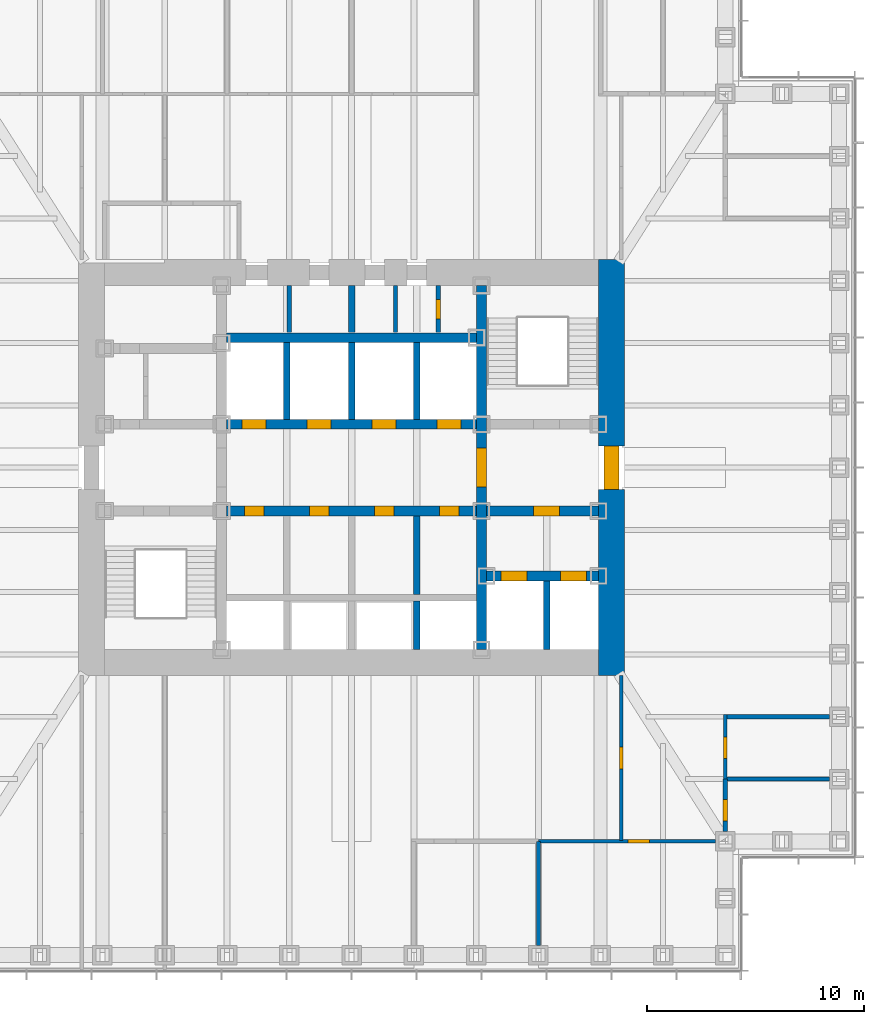
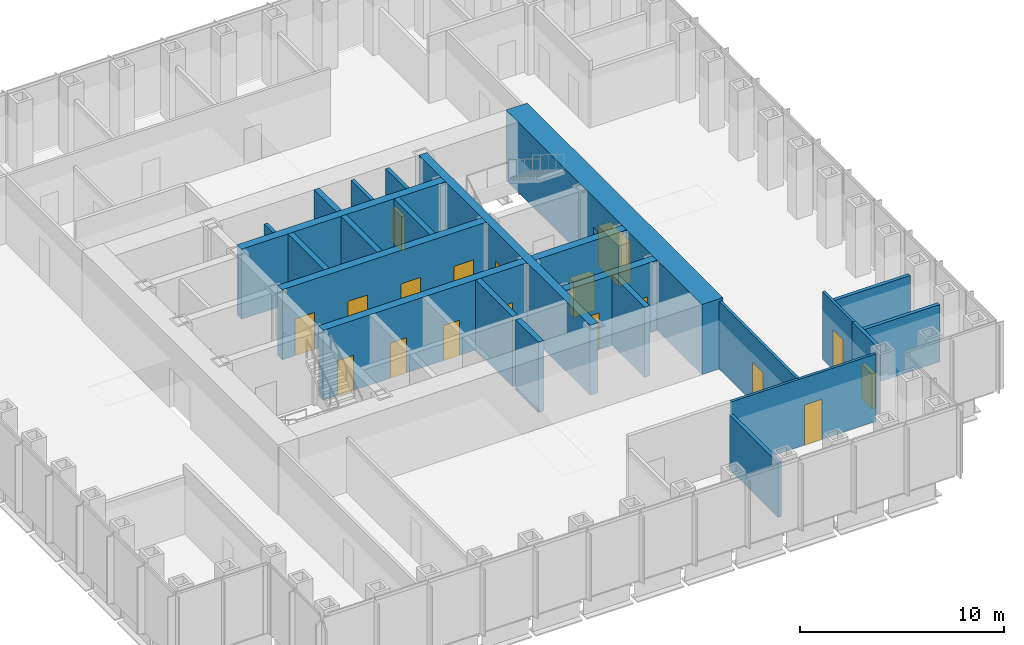
# One storey, part 9 of 17: 24 walls, 18 doors, 18 openings.
"""IFC4 building model written with IfcOpenShell, lengths in metres."""

from ifc_helpers import new_model, si_unit, direction, frame, frame_2d, origin, place, context, subcontext, project, spatial, rectangle, extrude, material, layer, layer_set, type_object, element, fill, save


model = new_model("IFC4")

# Units and contexts
model_context = context("Model", 3, precision=1e-05, world=origin(), true_north=direction((0.0, 1.0)))
body_context = subcontext(model_context, "Body", "Model", "MODEL_VIEW")
ifc_project = project(units=[si_unit("LENGTHUNIT", "METRE"), si_unit("AREAUNIT", "SQUARE_METRE"), si_unit("VOLUMEUNIT", "CUBIC_METRE"), si_unit("PLANEANGLEUNIT", "RADIAN"), si_unit("MASSUNIT", "GRAM", prefix="KILO")], contexts=[model_context])

# Site, building, storey
site_placement = place(None, origin())
site = spatial("IfcSite", under=ifc_project, at=site_placement, CompositionType="ELEMENT")
building_placement = place(site_placement, origin())
building = spatial("IfcBuilding", under=site, at=building_placement, Name="Daluyong Arena Tower", CompositionType="ELEMENT")
storey_placement = place(building_placement, frame((0.0, 0.0, 124.89990234375)))
storey = spatial("IfcBuildingStorey", under=building, at=storey_placement, Name="L27", CompositionType="ELEMENT", Elevation=124.89990234375)

# Wall, opening, door
ifc_material_1 = material(Name="Concrete fc' 45 MPa", Category="concrete")
ifc_layer_1 = layer(ifc_material_1, 0.449951171875)
ifc_layer_set_1 = layer_set([ifc_layer_1], Name="Concrete fc' 45 MPa")
wall_type_1 = type_object("IfcWallType", Name="Core inner wall 450", PredefinedType="SHEAR", material=ifc_layer_set_1)
wall_1_placement = place(storey_placement, frame((62.0, 71.60009765625, 0.0), z_axis=(0.0, 0.0, 1.0), x_axis=(0.0, 1.0, 0.0)))
wall_1 = element("IfcWall", 1, at=wall_1_placement, inside=storey, type_object=wall_type_1, Name="core inner wall at L27", PredefinedType="SHEAR", context=body_context, shape_type="SweptSolid", body=[
    extrude(rectangle(XDim=16.7998046875, YDim=0.449951171875, at=frame_2d((8.39990234375, 0.0))), origin(), (0.0, 0.0, 1.0), 4.2001953125),
])
opening_1_placement = place(wall_1_placement, frame((7.5, 0.0, 0.0)))
opening_1 = element("IfcOpeningElement", 2, at=opening_1_placement, cuts=wall_1, Name="Opening 27018", PredefinedType="OPENING", context=body_context, shape_type="SweptSolid", body=[
    extrude(rectangle(XDim=1.800048828125, YDim=2.39990234375, at=frame_2d((0.89990234375, 1.199951171875))), frame((0.0, 0.23486328125, 0.0), z_axis=(0.0, -1.0, 0.0), x_axis=(1.0, 0.0, 0.0)), (0.0, 0.0, 1.0), 0.469970703125),
])
ifc_material_2 = material(Name="Steel door, fire rated", Category="steel")
door_type_1 = type_object("IfcDoorType", Name="Lift lobby opening door 1800", OperationType="DOUBLE_DOOR_SINGLE_SWING", PredefinedType="DOOR", material=ifc_material_2)
door_1_placement = place(opening_1_placement, origin())
door_1 = element("IfcDoor", 3, at=door_1_placement, inside=storey, type_object=door_type_1, Name="lift lobby door east 27018", OperationType="DOUBLE_DOOR_SINGLE_SWING", OverallHeight=2.39990234375, OverallWidth=1.800048828125, PredefinedType="DOOR", context=body_context, shape_type="SweptSolid", body=[
    extrude(rectangle(XDim=1.800048828125, YDim=2.39990234375, at=frame_2d((0.89990234375, 1.199951171875))), frame((0.0, 0.224609375, 0.0), z_axis=(0.0, -1.0, 0.0), x_axis=(1.0, 0.0, 0.0)), (0.0, 0.0, 1.0), 0.449462890625),
])
fill(opening_1, door_1)

# Wall, openings, doors
wall_2_placement = place(storey_placement, frame((62.22509765625, 75.0, 0.0), z_axis=(0.0, 0.0, 1.0), x_axis=(1.0, 0.0, 0.0)))
wall_2 = element("IfcWall", 4, at=wall_2_placement, inside=storey, type_object=wall_type_1, Name="core inner wall at L27", PredefinedType="SHEAR", context=body_context, shape_type="SweptSolid", body=[
    extrude(rectangle(XDim=5.1748046875, YDim=0.449951171875, at=frame_2d((2.58740234375, 0.0))), origin(), (0.0, 0.0, 1.0), 4.2001953125),
])
opening_2_placement = place(wall_2_placement, frame((0.675048828125, 0.0, 0.0)))
opening_2 = element("IfcOpeningElement", 5, at=opening_2_placement, cuts=wall_2, Name="Opening 27024", PredefinedType="OPENING", context=body_context, shape_type="SweptSolid", body=[
    extrude(rectangle(XDim=1.199951171875, YDim=2.199951171875, at=frame_2d((0.60009765625, 1.10009765625))), frame((0.0, 0.23486328125, 0.0), z_axis=(0.0, -1.0, 0.0), x_axis=(1.0, 0.0, 0.0)), (0.0, 0.0, 1.0), 0.469970703125),
])
opening_3_placement = place(wall_2_placement, frame((3.425048828125, 0.0, 0.0)))
opening_3 = element("IfcOpeningElement", 6, at=opening_3_placement, cuts=wall_2, Name="Opening 27025", PredefinedType="OPENING", context=body_context, shape_type="SweptSolid", body=[
    extrude(rectangle(XDim=1.199951171875, YDim=2.199951171875, at=frame_2d((0.60009765625, 1.10009765625))), frame((0.0, 0.23486328125, 0.0), z_axis=(0.0, -1.0, 0.0), x_axis=(1.0, 0.0, 0.0)), (0.0, 0.0, 1.0), 0.469970703125),
])
ifc_material_3 = material(Name="Steel door, fire rated", Category="steel")
door_type_2 = type_object("IfcDoorType", Name="Firefighting lift landing door 1200", OperationType="SLIDING_TO_LEFT", PredefinedType="DOOR", material=ifc_material_3)
door_2_placement = place(opening_2_placement, origin())
door_2 = element("IfcDoor", 7, at=door_2_placement, inside=storey, type_object=door_type_2, Name="firefighting lift landing door F1 27024", OperationType="SLIDING_TO_LEFT", OverallHeight=2.199951171875, OverallWidth=1.199951171875, PredefinedType="DOOR", context=body_context, shape_type="SweptSolid", body=[
    extrude(rectangle(XDim=1.199951171875, YDim=2.199951171875, at=frame_2d((0.60009765625, 1.10009765625))), frame((0.0, 0.224609375, 0.0), z_axis=(0.0, -1.0, 0.0), x_axis=(1.0, 0.0, 0.0)), (0.0, 0.0, 1.0), 0.449462890625),
])
fill(opening_2, door_2)
door_3_placement = place(opening_3_placement, origin())
door_3 = element("IfcDoor", 8, at=door_3_placement, inside=storey, type_object=door_type_2, Name="firefighting lift landing door F2 27025", OperationType="SLIDING_TO_LEFT", OverallHeight=2.199951171875, OverallWidth=1.199951171875, PredefinedType="DOOR", context=body_context, shape_type="SweptSolid", body=[
    extrude(rectangle(XDim=1.199951171875, YDim=2.199951171875, at=frame_2d((0.60009765625, 1.10009765625))), frame((0.0, 0.224609375, 0.0), z_axis=(0.0, -1.0, 0.0), x_axis=(1.0, 0.0, 0.0)), (0.0, 0.0, 1.0), 0.449462890625),
])
fill(opening_3, door_3)

# Wall, opening, door
wall_3_placement = place(storey_placement, frame((62.22509765625, 78.0, 0.0), z_axis=(0.0, 0.0, 1.0), x_axis=(1.0, 0.0, 0.0)))
wall_3 = element("IfcWall", 9, at=wall_3_placement, inside=storey, type_object=wall_type_1, Name="core inner wall at L27", PredefinedType="SHEAR", context=body_context, shape_type="SweptSolid", body=[
    extrude(rectangle(XDim=5.1748046875, YDim=0.449951171875, at=frame_2d((2.58740234375, 0.0))), origin(), (0.0, 0.0, 1.0), 4.2001953125),
])
opening_4_placement = place(wall_3_placement, frame((2.175048828125, 0.0, 0.0)))
opening_4 = element("IfcOpeningElement", 10, at=opening_4_placement, cuts=wall_3, Name="Opening 27019", PredefinedType="OPENING", context=body_context, shape_type="SweptSolid", body=[
    extrude(rectangle(XDim=1.199951171875, YDim=2.10009765625, at=frame_2d((0.60009765625, 1.050048828125))), frame((0.0, 0.23486328125, 0.0), z_axis=(0.0, -1.0, 0.0), x_axis=(1.0, 0.0, 0.0)), (0.0, 0.0, 1.0), 0.469970703125),
])
ifc_material_4 = material(Name="Steel door, fire rated", Category="steel")
door_type_3 = type_object("IfcDoorType", Name="Firefighting lobby door 1200", OperationType="SINGLE_SWING_RIGHT", PredefinedType="DOOR", material=ifc_material_4)
door_4_placement = place(opening_4_placement, origin())
door_4 = element("IfcDoor", 11, at=door_4_placement, inside=storey, type_object=door_type_3, Name="firefighting lobby door 27019", OperationType="SINGLE_SWING_RIGHT", OverallHeight=2.10009765625, OverallWidth=1.199951171875, PredefinedType="DOOR", context=body_context, shape_type="SweptSolid", body=[
    extrude(rectangle(XDim=1.199951171875, YDim=2.10009765625, at=frame_2d((0.60009765625, 1.050048828125))), frame((0.0, 0.224609375, 0.0), z_axis=(0.0, -1.0, 0.0), x_axis=(1.0, 0.0, 0.0)), (0.0, 0.0, 1.0), 0.449462890625),
])
fill(opening_4, door_4)

# Wall, openings, doors
wall_4_placement = place(storey_placement, frame((50.22509765625, 78.0, 0.0), z_axis=(0.0, 0.0, 1.0), x_axis=(1.0, 0.0, 0.0)))
wall_4 = element("IfcWall", 12, at=wall_4_placement, inside=storey, type_object=wall_type_1, Name="core inner wall at L27", PredefinedType="SHEAR", context=body_context, shape_type="SweptSolid", body=[
    extrude(rectangle(XDim=11.5498046875, YDim=0.449951171875, at=frame_2d((5.77490234375, 0.0))), origin(), (0.0, 0.0, 1.0), 4.2001953125),
])
opening_5_placement = place(wall_4_placement, frame((0.824951171875, 0.0, 0.0)))
opening_5 = element("IfcOpeningElement", 13, at=opening_5_placement, cuts=wall_4, Name="Opening 27009", PredefinedType="OPENING", context=body_context, shape_type="SweptSolid", body=[
    extrude(rectangle(XDim=0.89990234375, YDim=2.10009765625, at=frame_2d((0.449951171875, 1.050048828125))), frame((0.0, 0.23486328125, 0.0), z_axis=(0.0, -1.0, 0.0), x_axis=(1.0, 0.0, 0.0)), (0.0, 0.0, 1.0), 0.469970703125),
])
opening_6_placement = place(wall_4_placement, frame((3.824951171875, 0.0, 0.0)))
opening_6 = element("IfcOpeningElement", 14, at=opening_6_placement, cuts=wall_4, Name="Opening 27010", PredefinedType="OPENING", context=body_context, shape_type="SweptSolid", body=[
    extrude(rectangle(XDim=0.89990234375, YDim=2.10009765625, at=frame_2d((0.449951171875, 1.050048828125))), frame((0.0, 0.23486328125, 0.0), z_axis=(0.0, -1.0, 0.0), x_axis=(1.0, 0.0, 0.0)), (0.0, 0.0, 1.0), 0.469970703125),
])
opening_7_placement = place(wall_4_placement, frame((6.824951171875, 0.0, 0.0)))
opening_7 = element("IfcOpeningElement", 15, at=opening_7_placement, cuts=wall_4, Name="Opening 27011", PredefinedType="OPENING", context=body_context, shape_type="SweptSolid", body=[
    extrude(rectangle(XDim=0.89990234375, YDim=2.10009765625, at=frame_2d((0.449951171875, 1.050048828125))), frame((0.0, 0.23486328125, 0.0), z_axis=(0.0, -1.0, 0.0), x_axis=(1.0, 0.0, 0.0)), (0.0, 0.0, 1.0), 0.469970703125),
])
opening_8_placement = place(wall_4_placement, frame((9.824951171875, 0.0, 0.0)))
opening_8 = element("IfcOpeningElement", 16, at=opening_8_placement, cuts=wall_4, Name="Opening 27012", PredefinedType="OPENING", context=body_context, shape_type="SweptSolid", body=[
    extrude(rectangle(XDim=0.89990234375, YDim=2.10009765625, at=frame_2d((0.449951171875, 1.050048828125))), frame((0.0, 0.23486328125, 0.0), z_axis=(0.0, -1.0, 0.0), x_axis=(1.0, 0.0, 0.0)), (0.0, 0.0, 1.0), 0.469970703125),
])
ifc_material_5 = material(Name="Steel door, fire rated", Category="steel")
door_type_4 = type_object("IfcDoorType", Name="Core room door 900", OperationType="SINGLE_SWING_LEFT", PredefinedType="DOOR", material=ifc_material_5)
door_5_placement = place(opening_5_placement, origin())
door_5 = element("IfcDoor", 17, at=door_5_placement, inside=storey, type_object=door_type_4, Name="parcel room door 27009", OperationType="SINGLE_SWING_LEFT", OverallHeight=2.10009765625, OverallWidth=0.89990234375, PredefinedType="DOOR", context=body_context, shape_type="SweptSolid", body=[
    extrude(rectangle(XDim=0.89990234375, YDim=2.10009765625, at=frame_2d((0.449951171875, 1.050048828125))), frame((0.0, 0.224609375, 0.0), z_axis=(0.0, -1.0, 0.0), x_axis=(1.0, 0.0, 0.0)), (0.0, 0.0, 1.0), 0.449462890625),
])
fill(opening_5, door_5)
ifc_material_6 = material(Name="Steel door, fire rated", Category="steel")
door_type_5 = type_object("IfcDoorType", Name="Core store door 900", OperationType="SINGLE_SWING_LEFT", PredefinedType="DOOR", material=ifc_material_6)
door_6_placement = place(opening_6_placement, origin())
door_6 = element("IfcDoor", 18, at=door_6_placement, inside=storey, type_object=door_type_5, Name="stationery store door 27010", OperationType="SINGLE_SWING_LEFT", OverallHeight=2.10009765625, OverallWidth=0.89990234375, PredefinedType="DOOR", context=body_context, shape_type="SweptSolid", body=[
    extrude(rectangle(XDim=0.89990234375, YDim=2.10009765625, at=frame_2d((0.449951171875, 1.050048828125))), frame((0.0, 0.224609375, 0.0), z_axis=(0.0, -1.0, 0.0), x_axis=(1.0, 0.0, 0.0)), (0.0, 0.0, 1.0), 0.449462890625),
])
fill(opening_6, door_6)
door_7_placement = place(opening_7_placement, origin())
door_7 = element("IfcDoor", 19, at=door_7_placement, inside=storey, type_object=door_type_5, Name="security store door 27011", OperationType="SINGLE_SWING_LEFT", OverallHeight=2.10009765625, OverallWidth=0.89990234375, PredefinedType="DOOR", context=body_context, shape_type="SweptSolid", body=[
    extrude(rectangle(XDim=0.89990234375, YDim=2.10009765625, at=frame_2d((0.449951171875, 1.050048828125))), frame((0.0, 0.224609375, 0.0), z_axis=(0.0, -1.0, 0.0), x_axis=(1.0, 0.0, 0.0)), (0.0, 0.0, 1.0), 0.449462890625),
])
fill(opening_7, door_7)
ifc_material_7 = material(Name="Steel door, fire rated", Category="steel")
door_type_6 = type_object("IfcDoorType", Name="Plant room door 900", OperationType="SINGLE_SWING_LEFT", PredefinedType="DOOR", material=ifc_material_7)
door_8_placement = place(opening_8_placement, origin())
door_8 = element("IfcDoor", 20, at=door_8_placement, inside=storey, type_object=door_type_6, Name="comms room door 27012", OperationType="SINGLE_SWING_LEFT", OverallHeight=2.10009765625, OverallWidth=0.89990234375, PredefinedType="DOOR", context=body_context, shape_type="SweptSolid", body=[
    extrude(rectangle(XDim=0.89990234375, YDim=2.10009765625, at=frame_2d((0.449951171875, 1.050048828125))), frame((0.0, 0.224609375, 0.0), z_axis=(0.0, -1.0, 0.0), x_axis=(1.0, 0.0, 0.0)), (0.0, 0.0, 1.0), 0.449462890625),
])
fill(opening_8, door_8)

wall_5_placement = place(storey_placement, frame((50.22509765625, 82.0, 0.0), z_axis=(0.0, 0.0, 1.0), x_axis=(1.0, 0.0, 0.0)))
wall_5 = element("IfcWall", 21, at=wall_5_placement, inside=storey, type_object=wall_type_1, Name="core inner wall at L27", PredefinedType="SHEAR", context=body_context, shape_type="SweptSolid", body=[
    extrude(rectangle(XDim=11.5498046875, YDim=0.449951171875, at=frame_2d((5.77490234375, 0.0))), origin(), (0.0, 0.0, 1.0), 4.2001953125),
])
opening_9_placement = place(wall_5_placement, frame((0.72509765625, 0.0, 0.0)))
opening_9 = element("IfcOpeningElement", 22, at=opening_9_placement, cuts=wall_5, Name="Opening 27020", PredefinedType="OPENING", context=body_context, shape_type="SweptSolid", body=[
    extrude(rectangle(XDim=1.10009765625, YDim=2.199951171875, at=frame_2d((0.550048828125, 1.10009765625))), frame((0.0, 0.23486328125, 0.0), z_axis=(0.0, -1.0, 0.0), x_axis=(1.0, 0.0, 0.0)), (0.0, 0.0, 1.0), 0.469970703125),
])
opening_10_placement = place(wall_5_placement, frame((3.72509765625, 0.0, 0.0)))
opening_10 = element("IfcOpeningElement", 23, at=opening_10_placement, cuts=wall_5, Name="Opening 27021", PredefinedType="OPENING", context=body_context, shape_type="SweptSolid", body=[
    extrude(rectangle(XDim=1.10009765625, YDim=2.199951171875, at=frame_2d((0.550048828125, 1.10009765625))), frame((0.0, 0.23486328125, 0.0), z_axis=(0.0, -1.0, 0.0), x_axis=(1.0, 0.0, 0.0)), (0.0, 0.0, 1.0), 0.469970703125),
])
opening_11_placement = place(wall_5_placement, frame((6.72509765625, 0.0, 0.0)))
opening_11 = element("IfcOpeningElement", 24, at=opening_11_placement, cuts=wall_5, Name="Opening 27022", PredefinedType="OPENING", context=body_context, shape_type="SweptSolid", body=[
    extrude(rectangle(XDim=1.10009765625, YDim=2.199951171875, at=frame_2d((0.550048828125, 1.10009765625))), frame((0.0, 0.23486328125, 0.0), z_axis=(0.0, -1.0, 0.0), x_axis=(1.0, 0.0, 0.0)), (0.0, 0.0, 1.0), 0.469970703125),
])
opening_12_placement = place(wall_5_placement, frame((9.72509765625, 0.0, 0.0)))
opening_12 = element("IfcOpeningElement", 25, at=opening_12_placement, cuts=wall_5, Name="Opening 27023", PredefinedType="OPENING", context=body_context, shape_type="SweptSolid", body=[
    extrude(rectangle(XDim=1.10009765625, YDim=2.199951171875, at=frame_2d((0.550048828125, 1.10009765625))), frame((0.0, 0.23486328125, 0.0), z_axis=(0.0, -1.0, 0.0), x_axis=(1.0, 0.0, 0.0)), (0.0, 0.0, 1.0), 0.469970703125),
])
ifc_material_8 = material(Name="Steel door, fire rated", Category="steel")
door_type_7 = type_object("IfcDoorType", Name="Lift landing door 1100", OperationType="SLIDING_TO_LEFT", PredefinedType="DOOR", material=ifc_material_8)
door_9_placement = place(opening_9_placement, origin())
door_9 = element("IfcDoor", 26, at=door_9_placement, inside=storey, type_object=door_type_7, Name="lift landing door B1 27020", OperationType="SLIDING_TO_LEFT", OverallHeight=2.199951171875, OverallWidth=1.10009765625, PredefinedType="DOOR", context=body_context, shape_type="SweptSolid", body=[
    extrude(rectangle(XDim=1.10009765625, YDim=2.199951171875, at=frame_2d((0.550048828125, 1.10009765625))), frame((0.0, 0.224609375, 0.0), z_axis=(0.0, -1.0, 0.0), x_axis=(1.0, 0.0, 0.0)), (0.0, 0.0, 1.0), 0.449462890625),
])
fill(opening_9, door_9)
door_10_placement = place(opening_10_placement, origin())
door_10 = element("IfcDoor", 27, at=door_10_placement, inside=storey, type_object=door_type_7, Name="lift landing door B2 27021", OperationType="SLIDING_TO_LEFT", OverallHeight=2.199951171875, OverallWidth=1.10009765625, PredefinedType="DOOR", context=body_context, shape_type="SweptSolid", body=[
    extrude(rectangle(XDim=1.10009765625, YDim=2.199951171875, at=frame_2d((0.550048828125, 1.10009765625))), frame((0.0, 0.224609375, 0.0), z_axis=(0.0, -1.0, 0.0), x_axis=(1.0, 0.0, 0.0)), (0.0, 0.0, 1.0), 0.449462890625),
])
fill(opening_10, door_10)
door_11_placement = place(opening_11_placement, origin())
door_11 = element("IfcDoor", 28, at=door_11_placement, inside=storey, type_object=door_type_7, Name="lift landing door B3 27022", OperationType="SLIDING_TO_LEFT", OverallHeight=2.199951171875, OverallWidth=1.10009765625, PredefinedType="DOOR", context=body_context, shape_type="SweptSolid", body=[
    extrude(rectangle(XDim=1.10009765625, YDim=2.199951171875, at=frame_2d((0.550048828125, 1.10009765625))), frame((0.0, 0.224609375, 0.0), z_axis=(0.0, -1.0, 0.0), x_axis=(1.0, 0.0, 0.0)), (0.0, 0.0, 1.0), 0.449462890625),
])
fill(opening_11, door_11)
door_12_placement = place(opening_12_placement, origin())
door_12 = element("IfcDoor", 29, at=door_12_placement, inside=storey, type_object=door_type_7, Name="lift landing door B4 27023", OperationType="SLIDING_TO_LEFT", OverallHeight=2.199951171875, OverallWidth=1.10009765625, PredefinedType="DOOR", context=body_context, shape_type="SweptSolid", body=[
    extrude(rectangle(XDim=1.10009765625, YDim=2.199951171875, at=frame_2d((0.550048828125, 1.10009765625))), frame((0.0, 0.224609375, 0.0), z_axis=(0.0, -1.0, 0.0), x_axis=(1.0, 0.0, 0.0)), (0.0, 0.0, 1.0), 0.449462890625),
])
fill(opening_12, door_12)

# Wall
wall_6_placement = place(storey_placement, frame((50.22509765625, 86.0, 0.0), z_axis=(0.0, 0.0, 1.0), x_axis=(1.0, 0.0, 0.0)))
element("IfcWall", 30, at=wall_6_placement, inside=storey, type_object=wall_type_1, Name="core inner wall at L27", PredefinedType="SHEAR", context=body_context, shape_type="SweptSolid", body=[
    extrude(rectangle(XDim=11.5498046875, YDim=0.449951171875, at=frame_2d((5.77490234375, 0.0))), origin(), (0.0, 0.0, 1.0), 4.2001953125),
])

# Wall, opening, door
ifc_material_9 = material(Name="Concrete fc' 60 MPa", Category="concrete")
ifc_layer_2 = layer(ifc_material_9, 1.199951171875)
ifc_layer_set_2 = layer_set([ifc_layer_2], Name="Concrete fc' 60 MPa")
wall_type_2 = type_object("IfcWallType", Name="Core wall 1200", PredefinedType="SHEAR", material=ifc_layer_set_2)
wall_7_placement = place(storey_placement, frame((68.0, 70.39990234375, 0.0), z_axis=(0.0, 0.0, 1.0), x_axis=(0.0, 1.0, 0.0)))
wall_7 = element("IfcWall", 31, at=wall_7_placement, inside=storey, type_object=wall_type_2, Name="core wall at L27", PredefinedType="SHEAR", context=body_context, shape_type="SweptSolid", body=[
    extrude(rectangle(XDim=19.2001953125, YDim=1.199951171875, at=frame_2d((9.60009765625, 0.0))), origin(), (0.0, 0.0, 1.0), 4.2001953125),
])
opening_13_placement = place(wall_7_placement, frame((8.60009765625, 0.0, 0.0)))
opening_13 = element("IfcOpeningElement", 32, at=opening_13_placement, cuts=wall_7, Name="Opening 27016", PredefinedType="OPENING", context=body_context, shape_type="SweptSolid", body=[
    extrude(rectangle(XDim=2.0, YDim=2.39990234375, at=frame_2d((1.0, 1.199951171875))), frame((0.0, 0.60986328125, 0.0), z_axis=(0.0, -1.0, 0.0), x_axis=(1.0, 0.0, 0.0)), (0.0, 0.0, 1.0), 1.219970703125),
])
ifc_material_10 = material(Name="Steel door, fire rated", Category="steel")
door_type_8 = type_object("IfcDoorType", Name="Core lobby double door 2000", OperationType="DOUBLE_DOOR_SINGLE_SWING", PredefinedType="DOOR", material=ifc_material_10)
door_13_placement = place(opening_13_placement, origin())
door_13 = element("IfcDoor", 33, at=door_13_placement, inside=storey, type_object=door_type_8, Name="core lobby door east 27016", OperationType="DOUBLE_DOOR_SINGLE_SWING", OverallHeight=2.39990234375, OverallWidth=2.0, PredefinedType="DOOR", context=body_context, shape_type="SweptSolid", body=[
    extrude(rectangle(XDim=2.0, YDim=2.39990234375, at=frame_2d((1.0, 1.199951171875))), frame((0.0, 0.35009765625, 0.0), z_axis=(0.0, -1.0, 0.0), x_axis=(1.0, 0.0, 0.0)), (0.0, 0.0, 1.0), 0.699951171875),
])
fill(opening_13, door_13)

# Wall
ifc_material_11 = material(Name="Concrete block partition, fire rated", Category="concrete")
ifc_layer_3 = layer(ifc_material_11, 0.199951171875)
ifc_layer_set_3 = layer_set([ifc_layer_3], Name="Concrete block partition, fire rated")
wall_type_3 = type_object("IfcWallType", Name="Fire-rated partition 200", PredefinedType="PARTITIONING", material=ifc_layer_set_3)
wall_8_placement = place(storey_placement, frame((53.125, 86.22509765625, 0.0), z_axis=(0.0, 0.0, 1.0), x_axis=(0.0, 1.0, 0.0)))
element("IfcWall", 34, at=wall_8_placement, inside=storey, type_object=wall_type_3, Name="core room partition at L27", PredefinedType="PARTITIONING", context=body_context, shape_type="SweptSolid", body=[
    extrude(rectangle(XDim=2.1748046875, YDim=0.199951171875, at=frame_2d((1.08740234375, 0.0))), origin(), (0.0, 0.0, 1.0), 3.14013671875),
])

# Wall, opening, door
wall_9_placement = place(storey_placement, frame((60.0, 86.22509765625, 0.0), z_axis=(0.0, 0.0, 1.0), x_axis=(0.0, 1.0, 0.0)))
wall_9 = element("IfcWall", 35, at=wall_9_placement, inside=storey, type_object=wall_type_3, Name="electrical riser enclosure at L27", PredefinedType="PARTITIONING", context=body_context, shape_type="SweptSolid", body=[
    extrude(rectangle(XDim=2.1748046875, YDim=0.199951171875, at=frame_2d((1.08740234375, 0.0))), origin(), (0.0, 0.0, 1.0), 4.0400390625),
])
opening_14_placement = place(wall_9_placement, frame((0.637451171875, 0.0, 0.0)))
opening_14 = element("IfcOpeningElement", 36, at=opening_14_placement, cuts=wall_9, Name="Opening 27008", PredefinedType="OPENING", context=body_context, shape_type="SweptSolid", body=[
    extrude(rectangle(XDim=0.89990234375, YDim=2.10009765625, at=frame_2d((0.449951171875, 1.050048828125))), frame((0.0, 0.10986328125, 0.0), z_axis=(0.0, -1.0, 0.0), x_axis=(1.0, 0.0, 0.0)), (0.0, 0.0, 1.0), 0.219970703125),
])
ifc_material_12 = material(Name="Steel door, fire rated", Category="steel")
door_type_9 = type_object("IfcDoorType", Name="Riser door 900", OperationType="SINGLE_SWING_LEFT", PredefinedType="DOOR", material=ifc_material_12)
door_14_placement = place(opening_14_placement, origin())
door_14 = element("IfcDoor", 37, at=door_14_placement, inside=storey, type_object=door_type_9, Name="riser door 27008", OperationType="SINGLE_SWING_LEFT", OverallHeight=2.10009765625, OverallWidth=0.89990234375, PredefinedType="DOOR", context=body_context, shape_type="SweptSolid", body=[
    extrude(rectangle(XDim=0.89990234375, YDim=2.10009765625, at=frame_2d((0.449951171875, 1.050048828125))), frame((0.0, 0.099609375, 0.0), z_axis=(0.0, -1.0, 0.0), x_axis=(1.0, 0.0, 0.0)), (0.0, 0.0, 1.0), 0.199462890625),
])
fill(opening_14, door_14)

# Wall
wall_10_placement = place(storey_placement, frame((58.02490234375, 86.22509765625, 0.0), z_axis=(0.0, 0.0, 1.0), x_axis=(0.0, 1.0, 0.0)))
element("IfcWall", 38, at=wall_10_placement, inside=storey, type_object=wall_type_3, Name="core room partition at L27", PredefinedType="PARTITIONING", context=body_context, shape_type="SweptSolid", body=[
    extrude(rectangle(XDim=2.1748046875, YDim=0.199951171875, at=frame_2d((1.08740234375, 0.0))), origin(), (0.0, 0.0, 1.0), 4.0400390625),
])

# Wall, opening, door
ifc_material_13 = material(Name="Glazed aluminium partition", Category="aluminium")
ifc_layer_4 = layer(ifc_material_13, 0.14990234375)
ifc_layer_set_4 = layer_set([ifc_layer_4], Name="Glazed aluminium partition")
wall_type_4 = type_object("IfcWallType", Name="Glazed partition 150", PredefinedType="PARTITIONING", material=ifc_layer_set_4)
wall_11_placement = place(storey_placement, frame((64.625, 62.75, 0.0), z_axis=(0.0, 0.0, 1.0), x_axis=(1.0, 0.0, 0.0)))
wall_11 = element("IfcWall", 39, at=wall_11_placement, inside=storey, type_object=wall_type_4, Name="glazed partition at L27", PredefinedType="PARTITIONING", context=body_context, shape_type="SweptSolid", body=[
    extrude(rectangle(XDim=8.175048828125, YDim=0.14990234375, at=frame_2d((4.08740234375, 0.0))), origin(), (0.0, 0.0, 1.0), 4.0400390625),
])
opening_15_placement = place(wall_11_placement, frame((4.125, 0.0, 0.0)))
opening_15 = element("IfcOpeningElement", 40, at=opening_15_placement, cuts=wall_11, Name="Opening 27027", PredefinedType="OPENING", context=body_context, shape_type="SweptSolid", body=[
    extrude(rectangle(XDim=1.0, YDim=2.39990234375, at=frame_2d((0.5, 1.199951171875))), frame((0.0, 0.0849609375, 0.0), z_axis=(0.0, -1.0, 0.0), x_axis=(1.0, 0.0, 0.0)), (0.0, 0.0, 1.0), 0.169921875),
])
ifc_material_14 = material(Name="Glazed aluminium door", Category="aluminium")
door_type_10 = type_object("IfcDoorType", Name="Meeting room glazed door 1000", OperationType="SINGLE_SWING_RIGHT", PredefinedType="DOOR", material=ifc_material_14)
door_15_placement = place(opening_15_placement, origin())
door_15 = element("IfcDoor", 41, at=door_15_placement, inside=storey, type_object=door_type_10, Name="meeting room door 27027", OperationType="SINGLE_SWING_RIGHT", OverallHeight=2.39990234375, OverallWidth=1.0, PredefinedType="DOOR", context=body_context, shape_type="SweptSolid", body=[
    extrude(rectangle(XDim=1.0, YDim=2.39990234375, at=frame_2d((0.5, 1.199951171875))), frame((0.0, 0.07470703125, 0.0), z_axis=(0.0, -1.0, 0.0), x_axis=(1.0, 0.0, 0.0)), (0.0, 0.0, 1.0), 0.1494140625),
])
fill(opening_15, door_15)

wall_12_placement = place(storey_placement, frame((68.449951171875, 62.800048828125, 0.0), z_axis=(0.0, 0.0, 1.0), x_axis=(0.0, 1.0, 0.0)))
wall_12 = element("IfcWall", 42, at=wall_12_placement, inside=storey, type_object=wall_type_4, Name="glazed partition at L27", PredefinedType="PARTITIONING", context=body_context, shape_type="SweptSolid", body=[
    extrude(rectangle(XDim=7.599853515625, YDim=0.14990234375, at=frame_2d((3.7998046875, 0.0))), origin(), (0.0, 0.0, 1.0), 4.0400390625),
])
opening_16_placement = place(wall_12_placement, frame((3.300048828125, 0.0, 0.0)))
opening_16 = element("IfcOpeningElement", 43, at=opening_16_placement, cuts=wall_12, Name="Opening 27042", PredefinedType="OPENING", context=body_context, shape_type="SweptSolid", body=[
    extrude(rectangle(XDim=1.0, YDim=2.39990234375, at=frame_2d((0.5, 1.199951171875))), frame((0.0, 0.0849609375, 0.0), z_axis=(0.0, -1.0, 0.0), x_axis=(1.0, 0.0, 0.0)), (0.0, 0.0, 1.0), 0.169921875),
])
door_16_placement = place(opening_16_placement, origin())
door_16 = element("IfcDoor", 44, at=door_16_placement, inside=storey, type_object=door_type_10, Name="team area screen door 27042", OperationType="SINGLE_SWING_RIGHT", OverallHeight=2.39990234375, OverallWidth=1.0, PredefinedType="DOOR", context=body_context, shape_type="SweptSolid", body=[
    extrude(rectangle(XDim=1.0, YDim=2.39990234375, at=frame_2d((0.5, 1.199951171875))), frame((0.0, 0.07470703125, 0.0), z_axis=(0.0, -1.0, 0.0), x_axis=(1.0, 0.0, 0.0)), (0.0, 0.0, 1.0), 0.1494140625),
])
fill(opening_16, door_16)

wall_13_placement = place(storey_placement, frame((73.25, 65.625, 0.0), z_axis=(0.0, 0.0, 1.0), x_axis=(0.0, 1.0, 0.0)))
wall_13 = element("IfcWall", 45, at=wall_13_placement, inside=storey, type_object=wall_type_4, Name="glazed partition at L27", PredefinedType="PARTITIONING", context=body_context, shape_type="SweptSolid", body=[
    extrude(rectangle(XDim=2.97509765625, YDim=0.14990234375, at=frame_2d((1.487548828125, 0.0))), origin(), (0.0, 0.0, 1.0), 4.0400390625),
])
opening_17_placement = place(wall_13_placement, frame((0.9375, 0.0, 0.0)))
opening_17 = element("IfcOpeningElement", 46, at=opening_17_placement, cuts=wall_13, Name="Opening 27029", PredefinedType="OPENING", context=body_context, shape_type="SweptSolid", body=[
    extrude(rectangle(XDim=1.0, YDim=2.39990234375, at=frame_2d((0.5, 1.199951171875))), frame((0.0, 0.0849609375, 0.0), z_axis=(0.0, -1.0, 0.0), x_axis=(1.0, 0.0, 0.0)), (0.0, 0.0, 1.0), 0.169921875),
])
door_17_placement = place(opening_17_placement, origin())
door_17 = element("IfcDoor", 47, at=door_17_placement, inside=storey, type_object=door_type_10, Name="focus room door 27029", OperationType="SINGLE_SWING_RIGHT", OverallHeight=2.39990234375, OverallWidth=1.0, PredefinedType="DOOR", context=body_context, shape_type="SweptSolid", body=[
    extrude(rectangle(XDim=1.0, YDim=2.39990234375, at=frame_2d((0.5, 1.199951171875))), frame((0.0, 0.07470703125, 0.0), z_axis=(0.0, -1.0, 0.0), x_axis=(1.0, 0.0, 0.0)), (0.0, 0.0, 1.0), 0.1494140625),
])
fill(opening_17, door_17)

# Walls
ifc_material_15 = material(Name="Concrete fc' 45 MPa", Category="concrete")
ifc_layer_5 = layer(ifc_material_15, 0.300048828125)
ifc_layer_set_5 = layer_set([ifc_layer_5], Name="Concrete fc' 45 MPa")
wall_type_5 = type_object("IfcWallType", Name="Lift shaft wall 300", PredefinedType="SHEAR", material=ifc_layer_set_5)
for number, where, z_axis, x_axis, name in (
    (48, (53.0, 82.22509765625, 0.0), (0.0, 0.0, 1.0), (0.0, 1.0, 0.0), "lift shaft wall at L27"),
    (49, (56.0, 82.22509765625, 0.0), (0.0, 0.0, 1.0), (0.0, 1.0, 0.0), "lift shaft wall at L27"),
):
    element("IfcWall", number, at=place(storey_placement, frame(where, z_axis=z_axis, x_axis=x_axis)), inside=storey, type_object=wall_type_5, Name=name, PredefinedType="SHEAR", context=body_context, shape_type="SweptSolid", body=[
        extrude(rectangle(XDim=3.5498046875, YDim=0.300048828125, at=frame_2d((1.77490234375, 0.0))), origin(), (0.0, 0.0, 1.0), 4.2001953125),
    ])
wall_14_placement = place(storey_placement, frame((59.0, 71.60009765625, 0.0), z_axis=(0.0, 0.0, 1.0), x_axis=(0.0, 1.0, 0.0)))
element("IfcWall", 50, at=wall_14_placement, inside=storey, type_object=wall_type_5, Name="lift shaft wall at L27", PredefinedType="SHEAR", context=body_context, shape_type="SweptSolid", body=[
    extrude(rectangle(XDim=2.25, YDim=0.300048828125, at=frame_2d((1.125, 0.0))), origin(), (0.0, 0.0, 1.0), 4.2001953125),
])
wall_15_placement = place(storey_placement, frame((59.0, 74.14990234375, 0.0), z_axis=(0.0, 0.0, 1.0), x_axis=(0.0, 1.0, 0.0)))
element("IfcWall", 51, at=wall_15_placement, inside=storey, type_object=wall_type_5, Name="lift shaft wall at L27", PredefinedType="SHEAR", context=body_context, shape_type="SweptSolid", body=[
    extrude(rectangle(XDim=3.625, YDim=0.300048828125, at=frame_2d((1.8125, 0.0))), origin(), (0.0, 0.0, 1.0), 4.2001953125),
])
wall_16_placement = place(storey_placement, frame((59.0, 82.22509765625, 0.0), z_axis=(0.0, 0.0, 1.0), x_axis=(0.0, 1.0, 0.0)))
element("IfcWall", 52, at=wall_16_placement, inside=storey, type_object=wall_type_5, Name="lift shaft wall at L27", PredefinedType="SHEAR", context=body_context, shape_type="SweptSolid", body=[
    extrude(rectangle(XDim=3.5498046875, YDim=0.300048828125, at=frame_2d((1.77490234375, 0.0))), origin(), (0.0, 0.0, 1.0), 4.2001953125),
])
wall_17_placement = place(storey_placement, frame((65.0, 71.60009765625, 0.0), z_axis=(0.0, 0.0, 1.0), x_axis=(0.0, 1.0, 0.0)))
element("IfcWall", 53, at=wall_17_placement, inside=storey, type_object=wall_type_5, Name="lift shaft wall at L27", PredefinedType="SHEAR", context=body_context, shape_type="SweptSolid", body=[
    extrude(rectangle(XDim=3.1748046875, YDim=0.300048828125, at=frame_2d((1.58740234375, 0.0))), origin(), (0.0, 0.0, 1.0), 4.2001953125),
])
wall_18_placement = place(storey_placement, frame((56.0, 86.22509765625, 0.0), z_axis=(0.0, 0.0, 1.0), x_axis=(0.0, 1.0, 0.0)))
element("IfcWall", 54, at=wall_18_placement, inside=storey, type_object=wall_type_5, Name="lift shaft wall at L27", PredefinedType="SHEAR", context=body_context, shape_type="SweptSolid", body=[
    extrude(rectangle(XDim=2.1748046875, YDim=0.300048828125, at=frame_2d((1.08740234375, 0.0))), origin(), (0.0, 0.0, 1.0), 4.2001953125),
])
ifc_material_16 = material(Name="Concrete block partition", Category="concrete")
ifc_layer_6 = layer(ifc_material_16, 0.199951171875)
ifc_layer_set_6 = layer_set([ifc_layer_6], Name="Concrete block partition")
wall_type_6 = type_object("IfcWallType", Name="Partition 200", PredefinedType="PARTITIONING", material=ifc_layer_set_6)
wall_19_placement = place(storey_placement, frame((64.625, 57.949951171875, 0.0), z_axis=(0.0, 0.0, 1.0), x_axis=(0.0, 1.0, 0.0)))
element("IfcWall", 55, at=wall_19_placement, inside=storey, type_object=wall_type_6, Name="partition at L27", PredefinedType="PARTITIONING", context=body_context, shape_type="SweptSolid", body=[
    extrude(rectangle(XDim=4.800048828125, YDim=0.199951171875, at=frame_2d((2.39990234375, 0.0))), origin(), (0.0, 0.0, 1.0), 3.278076171875),
])
for number, where, z_axis, x_axis, name in (
    (56, (73.25, 65.625, 0.0), (0.0, 0.0, 1.0), (1.0, 0.0, 0.0), "partition at L27"),
    (57, (73.25, 68.5, 0.0), (0.0, 0.0, 1.0), (1.0, 0.0, 0.0), "partition at L27"),
):
    element("IfcWall", number, at=place(storey_placement, frame(where, z_axis=z_axis, x_axis=x_axis)), inside=storey, type_object=wall_type_6, Name=name, PredefinedType="PARTITIONING", context=body_context, shape_type="SweptSolid", body=[
        extrude(rectangle(XDim=4.800048828125, YDim=0.199951171875, at=frame_2d((2.39990234375, 0.0))), origin(), (0.0, 0.0, 1.0), 3.427978515625),
    ])

# Wall, opening, door
wall_20_placement = place(storey_placement, frame((73.25, 63.199951171875, 0.0), z_axis=(0.0, 0.0, 1.0), x_axis=(0.0, 1.0, 0.0)))
wall_20 = element("IfcWall", 58, at=wall_20_placement, inside=storey, type_object=wall_type_6, Name="partition at L27", PredefinedType="PARTITIONING", context=body_context, shape_type="SweptSolid", body=[
    extrude(rectangle(XDim=2.425048828125, YDim=0.199951171875, at=frame_2d((1.21240234375, 0.0))), origin(), (0.0, 0.0, 1.0), 4.0400390625),
])
opening_18_placement = place(wall_20_placement, frame((0.487548828125, 0.0, 0.0)))
opening_18 = element("IfcOpeningElement", 59, at=opening_18_placement, cuts=wall_20, Name="Opening 27028", PredefinedType="OPENING", context=body_context, shape_type="SweptSolid", body=[
    extrude(rectangle(XDim=1.0, YDim=2.10009765625, at=frame_2d((0.5, 1.050048828125))), frame((0.0, 0.10986328125, 0.0), z_axis=(0.0, -1.0, 0.0), x_axis=(1.0, 0.0, 0.0)), (0.0, 0.0, 1.0), 0.219970703125),
])
ifc_material_17 = material(Name="Timber door", Category="wood")
door_type_11 = type_object("IfcDoorType", Name="Room door 1000", OperationType="SINGLE_SWING_LEFT", PredefinedType="DOOR", material=ifc_material_17)
door_18_placement = place(opening_18_placement, origin())
door_18 = element("IfcDoor", 60, at=door_18_placement, inside=storey, type_object=door_type_11, Name="wellness room door 27028", OperationType="SINGLE_SWING_LEFT", OverallHeight=2.10009765625, OverallWidth=1.0, PredefinedType="DOOR", context=body_context, shape_type="SweptSolid", body=[
    extrude(rectangle(XDim=1.0, YDim=2.10009765625, at=frame_2d((0.5, 1.050048828125))), frame((0.0, 0.099609375, 0.0), z_axis=(0.0, -1.0, 0.0), x_axis=(1.0, 0.0, 0.0)), (0.0, 0.0, 1.0), 0.199462890625),
])
fill(opening_18, door_18)

save(model, "model.ifc")
